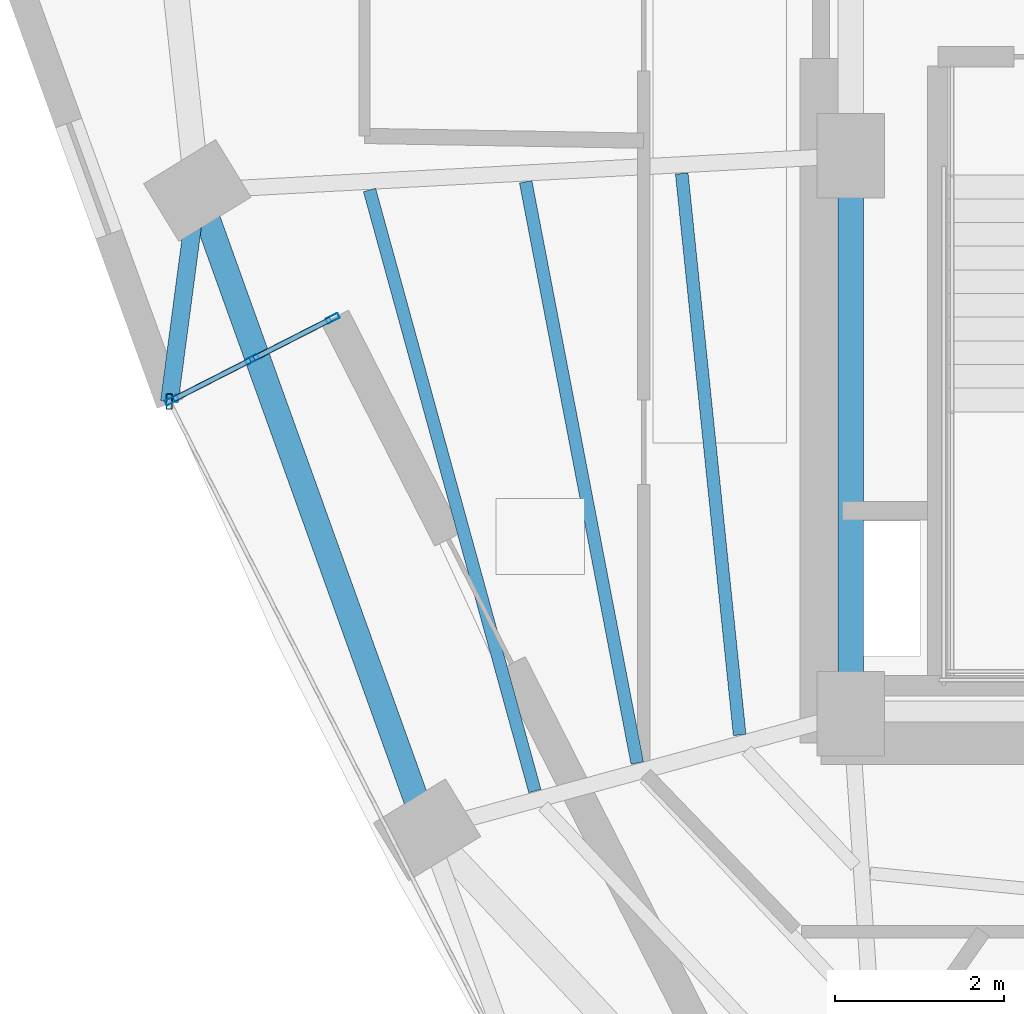
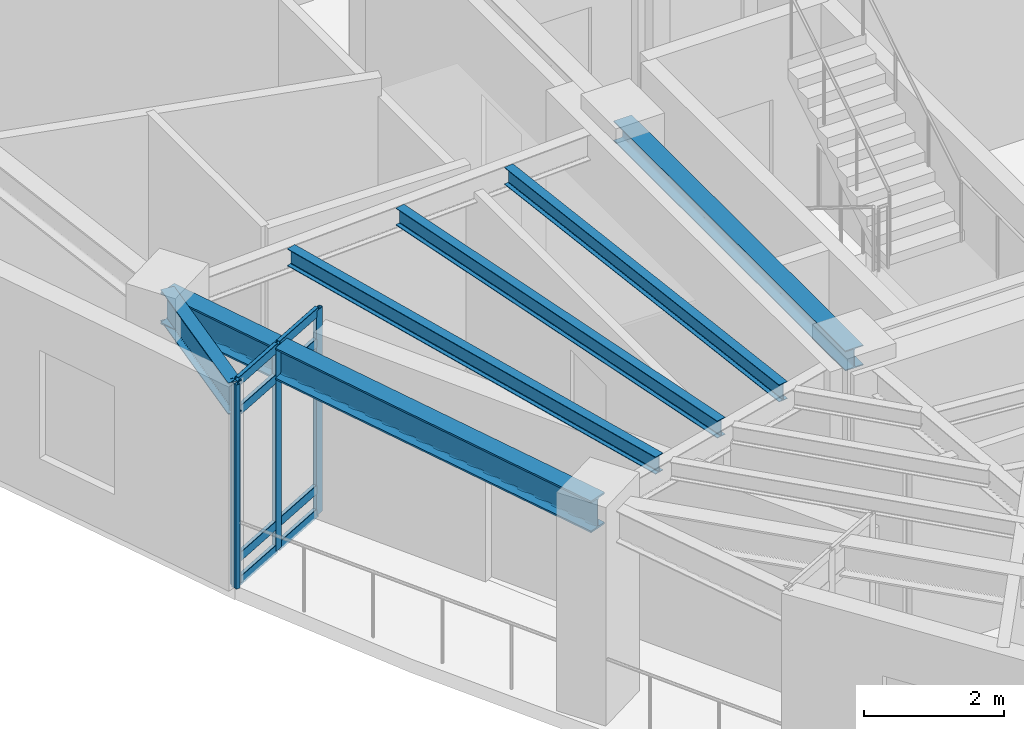
# One storey, part 4 of 13: 12 members, 6 beams, 1 element without a shape of its own.
"""IFC4 building model written with IfcOpenShell, lengths in metres."""

import ifcopenshell
import ifcopenshell.guid

model = None  # the IFC model being written
_history = None  # IfcOwnerHistory: only IFC2X3 demands one
_inside = {}  # id of a spatial element -> (the spatial element, [elements in it])
_under = {}  # id of a project, library or spatial element -> (it, [spatial elements below it])
_declared = {}  # id of a project -> (the project, [libraries it declares])
_typed = {}  # id of a type object -> (the type object, [elements of that type])
_made_of = {}  # id of a material, layer set ... -> (it, [elements and type objects made of it])


def new_model(schema):
    """Start an empty IFC model of exactly this schema.

    Asked for "IFC4X3", IfcOpenShell would pick the latest addendum, in which some entities
    have other attributes; the version numbers below select the first issue.
    IFC2X3 requires an IfcOwnerHistory on every rooted entity: one is made here for all.
    """
    global model, _history
    if schema == "IFC4X3":
        model = ifcopenshell.file(schema_version=(4, 3, 0, 0))
    else:
        model = ifcopenshell.file(schema=schema)
    _inside.clear()
    _under.clear()
    _declared.clear()
    _typed.clear()
    _made_of.clear()
    _history = None
    if model.schema == "IFC2X3":
        org = make("IfcOrganization", Name="unknown")
        user = make(
            "IfcPersonAndOrganization",
            ThePerson=make("IfcPerson", FamilyName="unknown"),
            TheOrganization=org,
        )
        app = make(
            "IfcApplication",
            ApplicationDeveloper=org,
            Version="unknown",
            ApplicationFullName="unknown",
            ApplicationIdentifier="unknown",
        )
        _history = make(
            "IfcOwnerHistory",
            OwningUser=user,
            OwningApplication=app,
            ChangeAction="ADDED",
            CreationDate=0,
        )
    return model


def make(cls, **values):
    """One entity of the class cls with the attributes given. An attribute that is None is left unset."""
    return model.create_entity(
        cls, **{name: value for name, value in values.items() if value is not None}
    )


def rooted(cls, **values):
    """An entity with a GlobalId (a new one), such as an element, a storey or a relation."""
    return make(cls, GlobalId=ifcopenshell.guid.new(), OwnerHistory=_history, **values)


def si_unit(unit_type, name, prefix=None):
    """IfcSIUnit, for example si_unit("LENGTHUNIT", "METRE", prefix="MILLI")."""
    return make("IfcSIUnit", UnitType=unit_type, Prefix=prefix, Name=name)


def assignment(units):
    """IfcUnitAssignment: the units of a project."""
    return None if units is None else make("IfcUnitAssignment", Units=units)


def point(xyz):
    """IfcCartesianPoint."""
    return None if xyz is None else make("IfcCartesianPoint", Coordinates=xyz)


def direction(xyz):
    """IfcDirection."""
    return None if xyz is None else make("IfcDirection", DirectionRatios=xyz)


def frame(location, z_axis=None, x_axis=None):
    """IfcAxis2Placement3D, a coordinate frame: its origin and axes. An axis left out is left unset."""
    return make(
        "IfcAxis2Placement3D",
        Location=point(location),
        Axis=direction(z_axis),
        RefDirection=direction(x_axis),
    )


def frame_2d(location, x_axis=None):
    """IfcAxis2Placement2D, a coordinate frame in the plane: its origin and x axis."""
    return make(
        "IfcAxis2Placement2D", Location=point(location), RefDirection=direction(x_axis)
    )


def origin():
    """The frame at (0, 0, 0) with its axes left unset."""
    return frame((0.0, 0.0, 0.0))


def origin_2d():
    """The frame at (0, 0) in the plane with its x axis left unset."""
    return frame_2d((0.0, 0.0))


def place(relative_to, where):
    """IfcLocalPlacement: puts the frame where relative to a parent placement (None: the world)."""
    return make(
        "IfcLocalPlacement", PlacementRelTo=relative_to, RelativePlacement=where
    )


def context(
    kind, dimensions, precision=None, world=None, true_north=None, identifier=None
):
    """IfcGeometricRepresentationContext, for example the 3D "Model" context."""
    return make(
        "IfcGeometricRepresentationContext",
        ContextIdentifier=identifier,
        ContextType=kind,
        CoordinateSpaceDimension=dimensions,
        Precision=precision,
        WorldCoordinateSystem=world,
        TrueNorth=true_north,
    )


def subcontext(parent, identifier, kind, view, scale=None):
    """IfcGeometricRepresentationSubContext, for example "Body" below "Model"."""
    return make(
        "IfcGeometricRepresentationSubContext",
        ContextIdentifier=identifier,
        ContextType=kind,
        ParentContext=parent,
        TargetScale=scale,
        TargetView=view,
    )


def project(units=None, contexts=None):
    """IfcProject with its units and contexts."""
    return rooted(
        "IfcProject",
        Name="project",
        RepresentationContexts=contexts,
        UnitsInContext=assignment(units),
    )


def spatial(cls, under=None, at=None, **own):
    """A site, building, storey or space (cls), placed at a placement, below another one or the project."""
    s = rooted(cls, ObjectPlacement=at, **own)
    if under is not None:
        _under.setdefault(under.id(), (under, []))[1].append(s)
    return s


def profile(cls, at=None, kind="AREA", **sizes):
    """A parametric profile (cls). Its sizes go by their IFC names, for example OverallWidth=200.0."""
    return make(cls, ProfileType=kind, Position=at, **sizes)


def hollow_rectangle(**sizes):
    """IfcRectangleHollowProfileDef."""
    return profile("IfcRectangleHollowProfileDef", **sizes)


def i_section(**sizes):
    """IfcIShapeProfileDef."""
    return profile("IfcIShapeProfileDef", **sizes)


def extrude(swept, where, along, depth):
    """IfcExtrudedAreaSolid: the profile swept, set in the frame where, extruded along a direction by depth."""
    return make(
        "IfcExtrudedAreaSolid",
        SweptArea=swept,
        Position=where,
        ExtrudedDirection=direction(along),
        Depth=depth,
    )


def shape(context_of_items, identifier, shape_type, items):
    """IfcShapeRepresentation: the items that make up one representation, for example the "Body"."""
    return make(
        "IfcShapeRepresentation",
        ContextOfItems=context_of_items,
        RepresentationIdentifier=identifier,
        RepresentationType=shape_type,
        Items=items,
    )


def material(Name=None, Category=None):
    """IfcMaterial."""
    return make("IfcMaterial", Name=Name, Category=Category)


def layer(
    of_material, thickness, ventilated=None, Name=None, Category=None, Priority=None
):
    """IfcMaterialLayer: one layer of a wall or slab, of a material (None: an air gap)."""
    return make(
        "IfcMaterialLayer",
        Material=of_material,
        LayerThickness=thickness,
        IsVentilated=ventilated,
        Name=Name,
        Category=Category,
        Priority=Priority,
    )


def layer_set(layers, Name=None):
    """IfcMaterialLayerSet."""
    return make("IfcMaterialLayerSet", MaterialLayers=layers, LayerSetName=Name)


def material_profile(
    of_material, cross_section, Name=None, Category=None, Priority=None
):
    """IfcMaterialProfile: a cross section and its material."""
    return make(
        "IfcMaterialProfile",
        Name=Name,
        Material=of_material,
        Profile=cross_section,
        Priority=Priority,
        Category=Category,
    )


def profile_set(profiles, Name=None, composite=None):
    """IfcMaterialProfileSet."""
    return make(
        "IfcMaterialProfileSet",
        Name=Name,
        MaterialProfiles=profiles,
        CompositeProfile=composite,
    )


def made_of(thing, what):
    """Note that an element or type object is made of a material, layer set ...; save() writes the relation."""
    if what is not None:
        _made_of.setdefault(what.id(), (what, []))[1].append(thing)
    return thing


def type_object(cls, material=None, **own):
    """A type object (cls), such as IfcWallType, which elements share."""
    return made_of(rooted(cls, **own), material)


def element(
    cls,
    number,
    at=None,
    inside=None,
    cuts=None,
    type_object=None,
    material=None,
    context=None,
    identifier="Body",
    shape_type=None,
    held_by="IfcProductDefinitionShape",
    body=None,
    shapes=None,
    **own,
):
    """One element of the class cls, such as IfcWall. Its Tag is "e" and its number.

    at: its placement. inside: the storey or other place that contains it. cuts: it is an
    opening in that element (IfcRelVoidsElement). A single representation is given by context,
    identifier, shape_type and body (its items); several are given by shapes. held_by: the class
    of the entity that holds the representations. save() writes the other relations.
    """
    e = rooted(cls, Tag="e%d" % number, ObjectPlacement=at, **own)
    if body is not None:
        shapes = [shape(context, identifier, shape_type, body)]
    if shapes is not None:
        e.Representation = make(held_by, Representations=shapes)
    if inside is not None:
        _inside.setdefault(inside.id(), (inside, []))[1].append(e)
    if cuts is not None:
        rooted(
            "IfcRelVoidsElement", RelatingBuildingElement=cuts, RelatedOpeningElement=e
        )
    if type_object is not None:
        _typed.setdefault(type_object.id(), (type_object, []))[1].append(e)
    return made_of(e, material)


def aggregate(whole, parts):
    """IfcRelAggregates: a whole, such as a stair, and the parts it consists of."""
    return rooted("IfcRelAggregates", RelatingObject=whole, RelatedObjects=parts)


def save(model, path):
    """Write the relations noted so far, then the file.

    IfcRelAggregates (storeys below a building ...), IfcRelContainedInSpatialStructure (elements
    in a storey), IfcRelDefinesByType, IfcRelAssociatesMaterial and IfcRelDeclares: one each for
    every whole, place, type object, material and project.
    """
    for whole, parts in _under.values():
        aggregate(whole, parts)
    for where, things in _inside.values():
        rooted(
            "IfcRelContainedInSpatialStructure",
            RelatedElements=things,
            RelatingStructure=where,
        )
    for kind, things in _typed.values():
        rooted("IfcRelDefinesByType", RelatedObjects=things, RelatingType=kind)
    for what, things in _made_of.values():
        rooted("IfcRelAssociatesMaterial", RelatedObjects=things, RelatingMaterial=what)
    for by, libraries in _declared.values():
        rooted("IfcRelDeclares", RelatingContext=by, RelatedDefinitions=libraries)
    model.write(path)


model = new_model("IFC4")

# Units and contexts
model_context = context("Model", 3, precision=1e-05, world=origin(), true_north=direction((0.0, 1.0)))
body_context = subcontext(model_context, "Body", "Model", "MODEL_VIEW")
ifc_project = project(units=[si_unit("LENGTHUNIT", "METRE"), si_unit("AREAUNIT", "SQUARE_METRE"), si_unit("VOLUMEUNIT", "CUBIC_METRE"), si_unit("PLANEANGLEUNIT", "RADIAN"), si_unit("MASSUNIT", "GRAM", prefix="KILO")], contexts=[model_context])

# Site, building, storey
site_placement = place(None, origin())
site = spatial("IfcSite", under=ifc_project, at=site_placement, CompositionType="ELEMENT")
building_placement = place(site_placement, origin())
building = spatial("IfcBuilding", under=site, at=building_placement, Name="Ndelora Gate Hotel", CompositionType="ELEMENT")
storey_placement = place(building_placement, frame((0.0, 0.0, 197.949951171875)))
storey = spatial("IfcBuildingStorey", under=building, at=storey_placement, Name="L49", CompositionType="ELEMENT", Elevation=197.949951171875)

# Beams
ifc_material_1 = material(Name="Steel S355", Category="steel")
ifc_material_profile_1 = material_profile(ifc_material_1, i_section(OverallWidth=0.300048828125, OverallDepth=0.35009765625, WebThickness=0.010009765625, FlangeThickness=0.017578125, FilletRadius=0.027099609375, at=origin_2d()), Name="HEA 360")
ifc_profile_set_1 = profile_set([ifc_material_profile_1], Name="Steel S355")
beam_type_1 = type_object("IfcBeamType", Name="BM-CORE-350", PredefinedType="BEAM", material=ifc_profile_set_1)
beam_1_placement = place(storey_placement, frame((-8.0, -6.60009765625, 3.375), z_axis=(0.0, 1.0, 0.0), x_axis=(-1.0, 0.0, 0.0)))
element("IfcBeam", 1, at=beam_1_placement, inside=storey, type_object=beam_type_1, Name="L49 Core Tie Girder CC1-CC8", PredefinedType="BEAM", context=body_context, shape_type="SweptSolid", body=[
    extrude(i_section(OverallWidth=0.300048828125, OverallDepth=0.35009765625, WebThickness=0.010009765625, FlangeThickness=0.017578125, FilletRadius=0.027099609375, at=origin_2d()), origin(), (0.0, 0.0, 1.0), 6.60009765625),
])
ifc_material_profile_2 = material_profile(ifc_material_1, i_section(OverallWidth=0.14990234375, OverallDepth=0.300048828125, WebThickness=0.007080078125, FlangeThickness=0.0107421875, FilletRadius=0.014892578125, at=origin_2d()), Name="IPE 300")
ifc_profile_set_2 = profile_set([ifc_material_profile_2], Name="Steel S355")
beam_type_2 = type_object("IfcBeamType", Name="BM-JST-300", PredefinedType="JOIST", material=ifc_profile_set_2)
beam_2_placement = place(storey_placement, frame((-9.9990234375, -0.21142578125, 3.400146484375), z_axis=(0.10260596827, -0.994722079415, 0.0), x_axis=(0.994722079415, 0.10260596827, 0.0)))
element("IfcBeam", 2, at=beam_2_placement, inside=storey, type_object=beam_type_2, Name="L49 Secondary Composite Floor Joist IN-2", PredefinedType="JOIST", context=body_context, shape_type="SweptSolid", body=[
    extrude(i_section(OverallWidth=0.14990234375, OverallDepth=0.300048828125, WebThickness=0.007080078125, FlangeThickness=0.0107421875, FilletRadius=0.014892578125, at=origin_2d()), origin(), (0.0, 0.0, 1.0), 6.676513671875),
])
beam_3_placement = place(storey_placement, frame((-11.84521484375, -0.30908203125, 3.400146484375), z_axis=(0.188470955684, -0.982078764083, 0.0), x_axis=(0.982078764083, 0.188470955684, 0.0)))
element("IfcBeam", 3, at=beam_3_placement, inside=storey, type_object=beam_type_2, Name="L49 Secondary Composite Floor Joist MID-2", PredefinedType="JOIST", context=body_context, shape_type="SweptSolid", body=[
    extrude(i_section(OverallWidth=0.14990234375, OverallDepth=0.300048828125, WebThickness=0.007080078125, FlangeThickness=0.0107421875, FilletRadius=0.014892578125, at=origin_2d()), origin(), (0.0, 0.0, 1.0), 7.000244140625),
])
beam_4_placement = place(storey_placement, frame((-13.6923828125, -0.406005859375, 3.400146484375), z_axis=(0.2652180483, -0.964188460238, 0.0), x_axis=(0.964188460238, 0.2652180483, 0.0)))
element("IfcBeam", 4, at=beam_4_placement, inside=storey, type_object=beam_type_2, Name="L49 Secondary Composite Floor Joist OUT-2", PredefinedType="JOIST", context=body_context, shape_type="SweptSolid", body=[
    extrude(i_section(OverallWidth=0.14990234375, OverallDepth=0.300048828125, WebThickness=0.007080078125, FlangeThickness=0.0107421875, FilletRadius=0.014892578125, at=origin_2d()), origin(), (0.0, 0.0, 1.0), 7.37353515625),
])
ifc_material_profile_3 = material_profile(ifc_material_1, i_section(OverallWidth=0.2099609375, OverallDepth=0.550048828125, WebThickness=0.010986328125, FlangeThickness=0.01708984375, FilletRadius=0.02392578125, at=origin_2d()), Name="IPE 550")
ifc_profile_set_3 = profile_set([ifc_material_profile_3], Name="Steel S355")
beam_type_3 = type_object("IfcBeamType", Name="BM-RAD-550", PredefinedType="BEAM", material=ifc_profile_set_3)
beam_5_placement = place(storey_placement, frame((-15.72998046875, -0.411865234375, 3.275146484375), z_axis=(-0.131084004825, -0.9913712643, 0.0), x_axis=(0.9913712643, -0.131084004825, 0.0)))
element("IfcBeam", 5, at=beam_5_placement, inside=storey, type_object=beam_type_3, Name="L49 Sky-Garden Loggia Column Bracket 1", PredefinedType="BEAM", context=body_context, shape_type="SweptSolid", body=[
    extrude(i_section(OverallWidth=0.2099609375, OverallDepth=0.550048828125, WebThickness=0.010986328125, FlangeThickness=0.01708984375, FilletRadius=0.02392578125, at=origin_2d()), origin(), (0.0, 0.0, 1.0), 2.51806640625),
])
ifc_material_profile_4 = material_profile(ifc_material_1, i_section(OverallWidth=0.300048828125, OverallDepth=0.550048828125, WebThickness=0.014892578125, FlangeThickness=0.029052734375, FilletRadius=0.027099609375, at=origin_2d()), Name="HEB 550")
ifc_profile_set_4 = profile_set([ifc_material_profile_4], Name="Steel S355")
beam_type_4 = type_object("IfcBeamType", Name="BM-RING-550", PredefinedType="SPANDREL", material=ifc_profile_set_4)
beam_6_placement = place(storey_placement, frame((-15.72998046875, -0.411865234375, 3.275146484375), z_axis=(0.338244972382, -0.941058095262, 0.0), x_axis=(0.941058095262, 0.338244972382, 0.0)))
element("IfcBeam", 6, at=beam_6_placement, inside=storey, type_object=beam_type_4, Name="L49 Perimeter Spandrel Girder 2", PredefinedType="SPANDREL", context=body_context, shape_type="SweptSolid", body=[
    extrude(i_section(OverallWidth=0.300048828125, OverallDepth=0.550048828125, WebThickness=0.014892578125, FlangeThickness=0.029052734375, FilletRadius=0.027099609375, at=origin_2d()), origin(), (0.0, 0.0, 1.0), 8.03564453125),
])

# Curtain wall, members
ifc_material_2 = material(Name="Bronze Anodised Unitised Aluminium and Low-E Glass", Category="aluminium")
ifc_layer = layer(ifc_material_2, 0.199951171875)
ifc_layer_set = layer_set([ifc_layer], Name="Bronze Anodised Unitised Aluminium and Low-E Glass")
curtain_wall_type = type_object("IfcCurtainWallType", Name="CW-SYS-3", PredefinedType="NOTDEFINED", material=ifc_layer_set)
curtain_wall_placement = place(storey_placement, origin())
curtain_wall = element("IfcCurtainWall", 7, at=curtain_wall_placement, inside=storey, type_object=curtain_wall_type, Name="L49 Sky-Garden Loggia Side Curtain Wall CW3-1", PredefinedType="NOTDEFINED")
ifc_material_3 = material(Name="Bronze Anodised Aluminium 6063-T6", Category="aluminium")
ifc_material_profile_5 = material_profile(ifc_material_3, hollow_rectangle(XDim=0.06494140625, YDim=0.159912109375, WallThickness=0.00390625, InnerFilletRadius=0.00390625, OuterFilletRadius=0.008056640625, at=origin_2d()), Name="ALU 160x65x4")
ifc_profile_set_5 = profile_set([ifc_material_profile_5], Name="Bronze Anodised Aluminium 6063-T6")
member_type_1 = type_object("IfcMemberType", Name="MB-CW-MUL150", PredefinedType="MULLION", material=ifc_profile_set_5)
member_1_placement = place(storey_placement, frame((-14.12890625, -1.924072265625, -0.00390625), z_axis=(0.0, 0.0, 1.0), x_axis=(0.454000680995, -0.891001336507, 0.0)))
member_1 = element("IfcMember", 8, at=member_1_placement, type_object=member_type_1, Name="CW3 mullion 1", PredefinedType="MULLION", context=body_context, shape_type="SweptSolid", body=[
    extrude(hollow_rectangle(XDim=0.06494140625, YDim=0.159912109375, WallThickness=0.00390625, InnerFilletRadius=0.00390625, OuterFilletRadius=0.008056640625, at=origin_2d()), origin(), (0.0, 0.0, 1.0), 3.557861328125),
])
member_2_placement = place(storey_placement, frame((-15.080078125, -2.40869140625, -0.00390625), z_axis=(0.0, 0.0, 1.0), x_axis=(0.454000680995, -0.891001336507, 0.0)))
member_2 = element("IfcMember", 9, at=member_2_placement, type_object=member_type_1, Name="CW3 mullion 2", PredefinedType="MULLION", context=body_context, shape_type="SweptSolid", body=[
    extrude(hollow_rectangle(XDim=0.06494140625, YDim=0.159912109375, WallThickness=0.00390625, InnerFilletRadius=0.00390625, OuterFilletRadius=0.008056640625, at=origin_2d()), origin(), (0.0, 0.0, 1.0), 3.557861328125),
])
member_3_placement = place(storey_placement, frame((-16.03125, -2.893310546875, -0.00390625), z_axis=(0.0, 0.0, 1.0), x_axis=(0.454000680995, -0.891001336507, 0.0)))
member_3 = element("IfcMember", 10, at=member_3_placement, type_object=member_type_1, Name="CW3 mullion 3", PredefinedType="MULLION", context=body_context, shape_type="SweptSolid", body=[
    extrude(hollow_rectangle(XDim=0.06494140625, YDim=0.159912109375, WallThickness=0.00390625, InnerFilletRadius=0.00390625, OuterFilletRadius=0.008056640625, at=origin_2d()), origin(), (0.0, 0.0, 1.0), 3.557861328125),
])
ifc_material_profile_6 = material_profile(ifc_material_3, hollow_rectangle(XDim=0.070068359375, YDim=0.179931640625, WallThickness=0.0048828125, InnerFilletRadius=0.0048828125, OuterFilletRadius=0.010009765625, at=origin_2d()), Name="ALU 180x70x5")
ifc_profile_set_6 = profile_set([ifc_material_profile_6], Name="Bronze Anodised Aluminium 6063-T6")
member_type_2 = type_object("IfcMemberType", Name="MB-CW-MUL180", PredefinedType="MULLION", material=ifc_profile_set_6)
member_4_placement = place(storey_placement, frame((-16.06005859375, -2.908203125, 0.0), z_axis=(0.0, 0.0, 1.0), x_axis=(1.0, 0.0, 0.0)))
member_4 = element("IfcMember", 11, at=member_4_placement, type_object=member_type_2, Name="L49 Sky-Garden Loggia Corner Mullion Post 1", PredefinedType="MULLION", context=body_context, shape_type="SweptSolid", body=[
    extrude(hollow_rectangle(XDim=0.070068359375, YDim=0.179931640625, WallThickness=0.0048828125, InnerFilletRadius=0.0048828125, OuterFilletRadius=0.010009765625, at=origin_2d()), origin(), (0.0, 0.0, 1.0), 3.550048828125),
])
ifc_material_profile_7 = material_profile(ifc_material_3, hollow_rectangle(XDim=0.06494140625, YDim=0.159912109375, WallThickness=0.00390625, InnerFilletRadius=0.00390625, OuterFilletRadius=0.008056640625, at=origin_2d()), Name="ALU 160x65x4")
ifc_profile_set_7 = profile_set([ifc_material_profile_7], Name="Bronze Anodised Aluminium 6063-T6")
member_type_3 = type_object("IfcMemberType", Name="MB-CW-TRN150", PredefinedType="USERDEFINED", material=ifc_profile_set_7)
member_5_placement = place(storey_placement, frame((-14.152587890625, -1.93603515625, 0.032470703125), z_axis=(-0.890934786756, -0.454131264886, 0.0), x_axis=(0.454131264886, -0.890934786756, 0.0)))
member_5 = element("IfcMember", 12, at=member_5_placement, type_object=member_type_3, Name="CW3 transom 1.1", ObjectType="TRANSOM", PredefinedType="USERDEFINED", context=body_context, shape_type="SweptSolid", body=[
    extrude(hollow_rectangle(XDim=0.06494140625, YDim=0.159912109375, WallThickness=0.00390625, InnerFilletRadius=0.00390625, OuterFilletRadius=0.008056640625, at=origin_2d()), origin(), (0.0, 0.0, 1.0), 1.014404296875),
])
member_6_placement = place(storey_placement, frame((-14.152587890625, -1.93603515625, 0.449951171875), z_axis=(-0.890934786756, -0.454131264886, 0.0), x_axis=(0.454131264886, -0.890934786756, 0.0)))
member_6 = element("IfcMember", 13, at=member_6_placement, type_object=member_type_3, Name="CW3 transom 1.2", ObjectType="TRANSOM", PredefinedType="USERDEFINED", context=body_context, shape_type="SweptSolid", body=[
    extrude(hollow_rectangle(XDim=0.06494140625, YDim=0.159912109375, WallThickness=0.00390625, InnerFilletRadius=0.00390625, OuterFilletRadius=0.008056640625, at=origin_2d()), origin(), (0.0, 0.0, 1.0), 1.014404296875),
])
member_7_placement = place(storey_placement, frame((-14.152587890625, -1.93603515625, 3.0), z_axis=(-0.890934786756, -0.454131264886, 0.0), x_axis=(0.454131264886, -0.890934786756, 0.0)))
member_7 = element("IfcMember", 14, at=member_7_placement, type_object=member_type_3, Name="CW3 transom 1.3", ObjectType="TRANSOM", PredefinedType="USERDEFINED", context=body_context, shape_type="SweptSolid", body=[
    extrude(hollow_rectangle(XDim=0.06494140625, YDim=0.159912109375, WallThickness=0.00390625, InnerFilletRadius=0.00390625, OuterFilletRadius=0.008056640625, at=origin_2d()), origin(), (0.0, 0.0, 1.0), 1.014404296875),
])
member_8_placement = place(storey_placement, frame((-14.152587890625, -1.93603515625, 3.517578125), z_axis=(-0.890934786756, -0.454131264886, 0.0), x_axis=(0.454131264886, -0.890934786756, 0.0)))
member_8 = element("IfcMember", 15, at=member_8_placement, type_object=member_type_3, Name="CW3 transom 1.4", ObjectType="TRANSOM", PredefinedType="USERDEFINED", context=body_context, shape_type="SweptSolid", body=[
    extrude(hollow_rectangle(XDim=0.06494140625, YDim=0.159912109375, WallThickness=0.00390625, InnerFilletRadius=0.00390625, OuterFilletRadius=0.008056640625, at=origin_2d()), origin(), (0.0, 0.0, 1.0), 1.014404296875),
])
member_9_placement = place(storey_placement, frame((-15.103515625, -2.420654296875, 0.032470703125), z_axis=(-0.890984404001, -0.454033910437, 0.0), x_axis=(0.454033910437, -0.890984404001, 0.0)))
member_9 = element("IfcMember", 16, at=member_9_placement, type_object=member_type_3, Name="CW3 transom 2.1", ObjectType="TRANSOM", PredefinedType="USERDEFINED", context=body_context, shape_type="SweptSolid", body=[
    extrude(hollow_rectangle(XDim=0.06494140625, YDim=0.159912109375, WallThickness=0.00390625, InnerFilletRadius=0.00390625, OuterFilletRadius=0.008056640625, at=origin_2d()), origin(), (0.0, 0.0, 1.0), 1.0146484375),
])
member_10_placement = place(storey_placement, frame((-15.103515625, -2.420654296875, 0.449951171875), z_axis=(-0.890984404001, -0.454033910437, 0.0), x_axis=(0.454033910437, -0.890984404001, 0.0)))
member_10 = element("IfcMember", 17, at=member_10_placement, type_object=member_type_3, Name="CW3 transom 2.2", ObjectType="TRANSOM", PredefinedType="USERDEFINED", context=body_context, shape_type="SweptSolid", body=[
    extrude(hollow_rectangle(XDim=0.06494140625, YDim=0.159912109375, WallThickness=0.00390625, InnerFilletRadius=0.00390625, OuterFilletRadius=0.008056640625, at=origin_2d()), origin(), (0.0, 0.0, 1.0), 1.0146484375),
])
member_11_placement = place(storey_placement, frame((-15.103515625, -2.420654296875, 3.0), z_axis=(-0.890984404001, -0.454033910437, 0.0), x_axis=(0.454033910437, -0.890984404001, 0.0)))
member_11 = element("IfcMember", 18, at=member_11_placement, type_object=member_type_3, Name="CW3 transom 2.3", ObjectType="TRANSOM", PredefinedType="USERDEFINED", context=body_context, shape_type="SweptSolid", body=[
    extrude(hollow_rectangle(XDim=0.06494140625, YDim=0.159912109375, WallThickness=0.00390625, InnerFilletRadius=0.00390625, OuterFilletRadius=0.008056640625, at=origin_2d()), origin(), (0.0, 0.0, 1.0), 1.0146484375),
])
member_12_placement = place(storey_placement, frame((-15.103515625, -2.420654296875, 3.517578125), z_axis=(-0.890984404001, -0.454033910437, 0.0), x_axis=(0.454033910437, -0.890984404001, 0.0)))
member_12 = element("IfcMember", 19, at=member_12_placement, type_object=member_type_3, Name="CW3 transom 2.4", ObjectType="TRANSOM", PredefinedType="USERDEFINED", context=body_context, shape_type="SweptSolid", body=[
    extrude(hollow_rectangle(XDim=0.06494140625, YDim=0.159912109375, WallThickness=0.00390625, InnerFilletRadius=0.00390625, OuterFilletRadius=0.008056640625, at=origin_2d()), origin(), (0.0, 0.0, 1.0), 1.0146484375),
])
aggregate(curtain_wall, [member_1, member_2, member_3, member_5, member_6, member_7, member_8, member_9, member_10, member_11, member_12, member_4])

save(model, "model.ifc")
